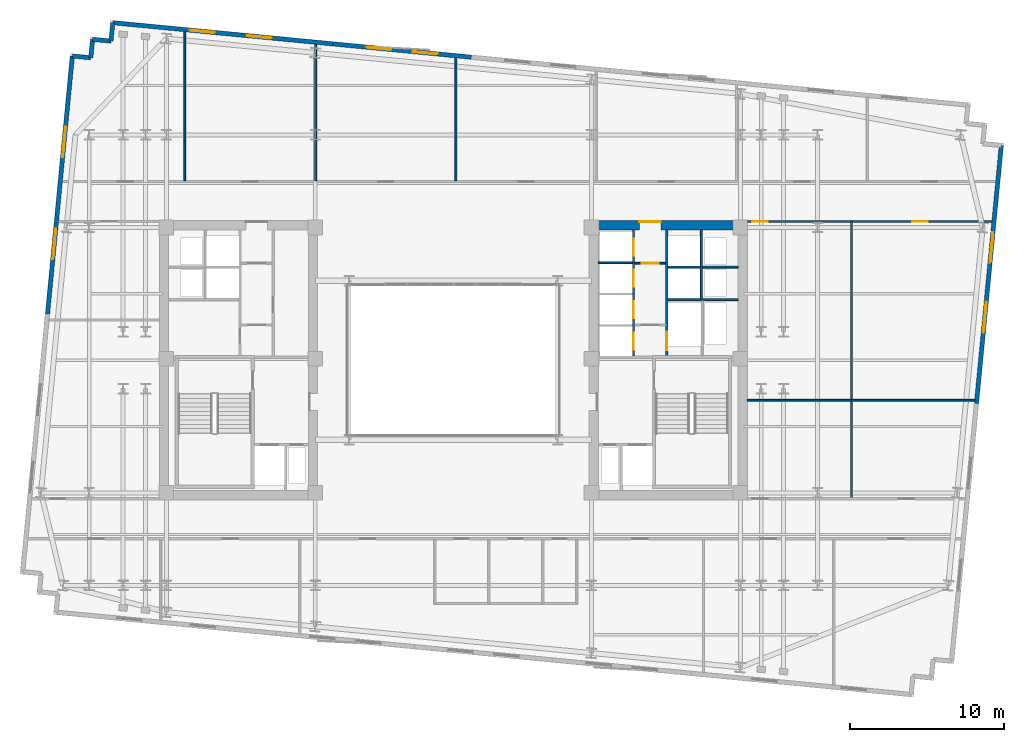
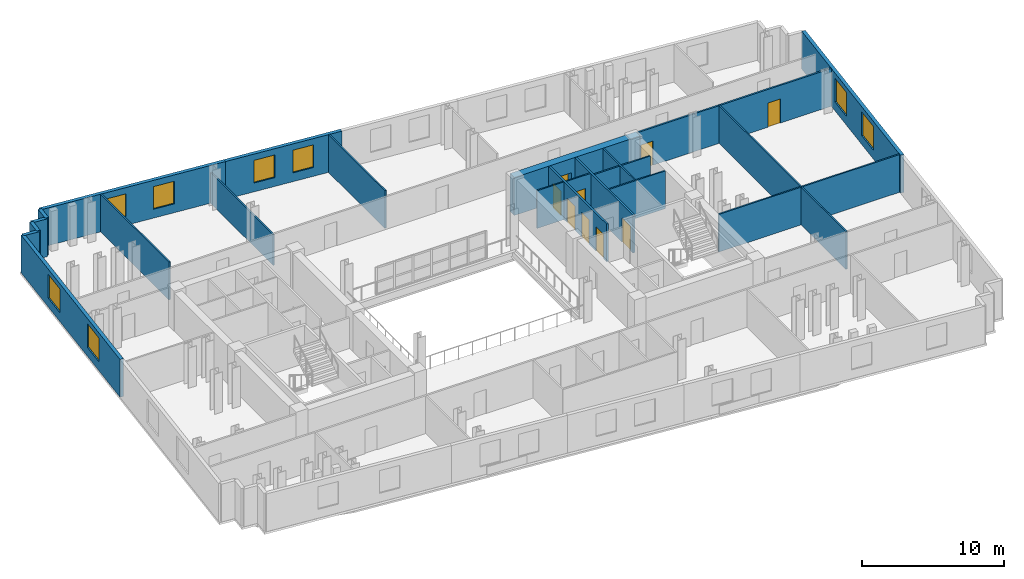
# One storey, part 7 of 10: 23 walls, 9 doors, 8 windows, 17 openings.
"""IFC4 building model written with IfcOpenShell, lengths in metres."""

from ifc_helpers import new_model, si_unit, direction, frame, frame_2d, origin, place, context, subcontext, project, spatial, rectangle, extrude, material, layer, layer_set, type_object, element, fill, save


model = new_model("IFC4")

# Units and contexts
model_context = context("Model", 3, precision=1e-05, world=origin(), true_north=direction((0.0, 1.0)))
body_context = subcontext(model_context, "Body", "Model", "MODEL_VIEW")
ifc_project = project(units=[si_unit("LENGTHUNIT", "METRE"), si_unit("AREAUNIT", "SQUARE_METRE"), si_unit("VOLUMEUNIT", "CUBIC_METRE"), si_unit("PLANEANGLEUNIT", "RADIAN"), si_unit("MASSUNIT", "GRAM", prefix="KILO")], contexts=[model_context])

# Site, building, storey
site_placement = place(None, origin())
site = spatial("IfcSite", under=ifc_project, at=site_placement, CompositionType="ELEMENT")
building_placement = place(site_placement, origin())
building = spatial("IfcBuilding", under=site, at=building_placement, Name="Velakula Bourse", CompositionType="ELEMENT")
storey_placement = place(building_placement, frame((0.0, 0.0, 188.0)))
storey = spatial("IfcBuildingStorey", under=building, at=storey_placement, Name="L51", CompositionType="ELEMENT", Elevation=188.0)

# Wall, opening, door
ifc_material_1 = material(Name="Concrete M70 (fck 70 MPa)", Category="concrete")
ifc_layer_1 = layer(ifc_material_1, 0.60009765625, Name="Concrete M70 (fck 70 MPa)", Category="concrete")
ifc_layer_set_1 = layer_set([ifc_layer_1], Name="Concrete M70 (fck 70 MPa)")
wall_type_1 = type_object("IfcWallType", Name="WL-CORE-600", PredefinedType="SHEAR", material=ifc_layer_set_1)
wall_1_placement = place(storey_placement, frame((8.800048828125, 8.75, 0.0), z_axis=(0.0, 0.0, 1.0), x_axis=(1.0, 0.0, 0.0)))
wall_1 = element("IfcWall", 1, at=wall_1_placement, inside=storey, type_object=wall_type_1, Name="L51 Core E Shear Wall N", PredefinedType="SHEAR", context=body_context, shape_type="SweptSolid", body=[
    extrude(rectangle(XDim=10.25, YDim=0.60009765625, at=frame_2d((5.125, 0.0))), origin(), (0.0, 0.0, 1.0), 3.27001953125),
])
opening_1_placement = place(wall_1_placement, frame((3.25, 0.0, 0.0)))
opening_1 = element("IfcOpeningElement", 2, at=opening_1_placement, cuts=wall_1, Name="Opening D-LLE", PredefinedType="OPENING", context=body_context, shape_type="SweptSolid", body=[
    extrude(rectangle(XDim=1.39990234375, YDim=2.050048828125, at=frame_2d((0.699951171875, 1.02490234375))), frame((0.0, 0.31005859375, 0.0), z_axis=(0.0, -1.0, 0.0), x_axis=(1.0, 0.0, 0.0)), (0.0, 0.0, 1.0), 0.6201171875),
])
ifc_material_2 = material(Name="Fire-rated hardwood flush architectural door", Category="wood")
door_type_1 = type_object("IfcDoorType", Name="DR-DBL-FD60-1400", OperationType="DOUBLE_DOOR_SINGLE_SWING", PredefinedType="DOOR", material=ifc_material_2)
door_1_placement = place(opening_1_placement, origin())
door_1 = element("IfcDoor", 3, at=door_1_placement, inside=storey, type_object=door_type_1, Name="L51 Core E Lift Lobby Corridor Double Door", OperationType="DOUBLE_DOOR_SINGLE_SWING", OverallHeight=2.050048828125, OverallWidth=1.39990234375, PredefinedType="DOOR", context=body_context, shape_type="SweptSolid", body=[
    extrude(rectangle(XDim=1.39990234375, YDim=2.050048828125, at=frame_2d((0.699951171875, 1.02490234375))), frame((0.0, 0.2451171875, 0.0), z_axis=(0.0, -1.0, 0.0), x_axis=(1.0, 0.0, 0.0)), (0.0, 0.0, 1.0), 0.050048828125),
])
fill(opening_1, door_1)

# Wall, openings, windows
ifc_material_3 = material(Name="Red kilned clay facing brick masonry", Category="masonry")
ifc_layer_2 = layer(ifc_material_3, 0.280029296875, Name="Red kilned clay facing brick masonry", Category="masonry")
ifc_layer_set_2 = layer_set([ifc_layer_2], Name="Red kilned clay facing brick masonry")
wall_type_2 = type_object("IfcWallType", Name="WL-EXT-BRK-280", PredefinedType="STANDARD", material=ifc_layer_set_2)
wall_2_placement = place(storey_placement, frame((-22.072509765625, 21.8701171875, 0.0), z_axis=(0.0, 0.0, 1.0), x_axis=(0.995395606285, -0.095851901334, 0.0)))
wall_2 = element("IfcWall", 4, at=wall_2_placement, inside=storey, type_object=wall_type_2, Name="L51 N Brick Spandrel Wall B1", PredefinedType="STANDARD", context=body_context, shape_type="SweptSolid", body=[
    extrude(rectangle(XDim=14.33984375, YDim=0.280029296875, at=frame_2d((7.169921875, 0.0))), origin(), (0.0, 0.0, 1.0), 3.25),
])
opening_2_placement = place(wall_2_placement, frame((5.030029296875, 0.0, 0.760009765625)))
opening_2 = element("IfcOpeningElement", 5, at=opening_2_placement, cuts=wall_2, Name="Opening W-02", PredefinedType="OPENING", context=body_context, shape_type="SweptSolid", body=[
    extrude(rectangle(XDim=1.60009765625, YDim=1.949951171875, at=frame_2d((0.800048828125, 0.97509765625))), frame((0.0, 0.14990234375, 0.0), z_axis=(0.0, -1.0, 0.0), x_axis=(1.0, 0.0, 0.0)), (0.0, 0.0, 1.0), 0.300048828125),
])
opening_3_placement = place(wall_2_placement, frame((8.760009765625, 0.0, 0.760009765625)))
opening_3 = element("IfcOpeningElement", 6, at=opening_3_placement, cuts=wall_2, Name="Opening W-02", PredefinedType="OPENING", context=body_context, shape_type="SweptSolid", body=[
    extrude(rectangle(XDim=1.60009765625, YDim=1.949951171875, at=frame_2d((0.800048828125, 0.97509765625))), frame((0.0, 0.14990234375, 0.0), z_axis=(0.0, -1.0, 0.0), x_axis=(1.0, 0.0, 0.0)), (0.0, 0.0, 1.0), 0.300048828125),
])
ifc_material_4 = material(Name="Double-glazed solar-control Low-E glass", Category="glass")
window_type_1 = type_object("IfcWindowType", Name="WIN-TWR-1600x2100", PartitioningType="SINGLE_PANEL", PredefinedType="WINDOW", material=ifc_material_4)
window_1_placement = place(opening_2_placement, origin())
window_1 = element("IfcWindow", 7, at=window_1_placement, inside=storey, type_object=window_type_1, Name="L51 Deep-Set Recessed Window 1", OverallHeight=1.949951171875, OverallWidth=1.60009765625, PartitioningType="SINGLE_PANEL", PredefinedType="WINDOW", context=body_context, shape_type="SweptSolid", body=[
    extrude(rectangle(XDim=1.60009765625, YDim=1.949951171875, at=frame_2d((0.800048828125, 0.97509765625))), frame((0.0, 0.030029296875, 0.0), z_axis=(0.0, -1.0, 0.0), x_axis=(1.0, 0.0, 0.0)), (0.0, 0.0, 1.0), 0.06005859375),
])
fill(opening_2, window_1)
window_2_placement = place(opening_3_placement, origin())
window_2 = element("IfcWindow", 8, at=window_2_placement, inside=storey, type_object=window_type_1, Name="L51 Deep-Set Recessed Window 2", OverallHeight=1.949951171875, OverallWidth=1.60009765625, PartitioningType="SINGLE_PANEL", PredefinedType="WINDOW", context=body_context, shape_type="SweptSolid", body=[
    extrude(rectangle(XDim=1.60009765625, YDim=1.949951171875, at=frame_2d((0.800048828125, 0.97509765625))), frame((0.0, 0.030029296875, 0.0), z_axis=(0.0, -1.0, 0.0), x_axis=(1.0, 0.0, 0.0)), (0.0, 0.0, 1.0), 0.06005859375),
])
fill(opening_3, window_2)

wall_3_placement = place(storey_placement, frame((-7.798583984375, 20.49560546875, 0.0), z_axis=(0.0, 0.0, 1.0), x_axis=(0.995396794462, -0.09583956164, 0.0)))
wall_3 = element("IfcWall", 9, at=wall_3_placement, inside=storey, type_object=wall_type_2, Name="L51 N Brick Spandrel Wall B2", PredefinedType="STANDARD", context=body_context, shape_type="SweptSolid", body=[
    extrude(rectangle(XDim=9.0, YDim=0.280029296875, at=frame_2d((4.5, 0.0))), origin(), (0.0, 0.0, 1.0), 3.25),
])
opening_4_placement = place(wall_3_placement, frame((2.199951171875, 0.0, 0.760009765625)))
opening_4 = element("IfcOpeningElement", 10, at=opening_4_placement, cuts=wall_3, Name="Opening W-02", PredefinedType="OPENING", context=body_context, shape_type="SweptSolid", body=[
    extrude(rectangle(XDim=1.60009765625, YDim=1.949951171875, at=frame_2d((0.800048828125, 0.97509765625))), frame((0.0, 0.14990234375, 0.0), z_axis=(0.0, -1.0, 0.0), x_axis=(1.0, 0.0, 0.0)), (0.0, 0.0, 1.0), 0.300048828125),
])
opening_5_placement = place(wall_3_placement, frame((5.199951171875, 0.0, 0.760009765625)))
opening_5 = element("IfcOpeningElement", 11, at=opening_5_placement, cuts=wall_3, Name="Opening W-02", PredefinedType="OPENING", context=body_context, shape_type="SweptSolid", body=[
    extrude(rectangle(XDim=1.60009765625, YDim=1.949951171875, at=frame_2d((0.800048828125, 0.97509765625))), frame((0.0, 0.14990234375, 0.0), z_axis=(0.0, -1.0, 0.0), x_axis=(1.0, 0.0, 0.0)), (0.0, 0.0, 1.0), 0.300048828125),
])
window_3_placement = place(opening_4_placement, origin())
window_3 = element("IfcWindow", 12, at=window_3_placement, inside=storey, type_object=window_type_1, Name="L51 Deep-Set Recessed Window 1", OverallHeight=1.949951171875, OverallWidth=1.60009765625, PartitioningType="SINGLE_PANEL", PredefinedType="WINDOW", context=body_context, shape_type="SweptSolid", body=[
    extrude(rectangle(XDim=1.60009765625, YDim=1.949951171875, at=frame_2d((0.800048828125, 0.97509765625))), frame((0.0, 0.030029296875, 0.0), z_axis=(0.0, -1.0, 0.0), x_axis=(1.0, 0.0, 0.0)), (0.0, 0.0, 1.0), 0.06005859375),
])
fill(opening_4, window_3)
window_4_placement = place(opening_5_placement, origin())
window_4 = element("IfcWindow", 13, at=window_4_placement, inside=storey, type_object=window_type_1, Name="L51 Deep-Set Recessed Window 2", OverallHeight=1.949951171875, OverallWidth=1.60009765625, PartitioningType="SINGLE_PANEL", PredefinedType="WINDOW", context=body_context, shape_type="SweptSolid", body=[
    extrude(rectangle(XDim=1.60009765625, YDim=1.949951171875, at=frame_2d((0.800048828125, 0.97509765625))), frame((0.0, 0.030029296875, 0.0), z_axis=(0.0, -1.0, 0.0), x_axis=(1.0, 0.0, 0.0)), (0.0, 0.0, 1.0), 0.06005859375),
])
fill(opening_5, window_4)

wall_4_placement = place(storey_placement, frame((-26.30078125, 2.998291015625, 0.0), z_axis=(0.0, 0.0, 1.0), x_axis=(0.095837640115, 0.99539697947, 0.0)))
wall_4 = element("IfcWall", 14, at=wall_4_placement, inside=storey, type_object=wall_type_2, Name="L51 W Brick End Wall W2", PredefinedType="STANDARD", context=body_context, shape_type="SweptSolid", body=[
    extrude(rectangle(XDim=16.790283203125, YDim=0.280029296875, at=frame_2d((8.39501953125, 0.0))), origin(), (0.0, 0.0, 1.0), 3.25),
])
opening_6_placement = place(wall_4_placement, frame((3.546630859375, 0.0, 0.760009765625)))
opening_6 = element("IfcOpeningElement", 15, at=opening_6_placement, cuts=wall_4, Name="Opening W-05", PredefinedType="OPENING", context=body_context, shape_type="SweptSolid", body=[
    extrude(rectangle(XDim=2.0, YDim=2.050048828125, at=frame_2d((1.0, 1.02490234375))), frame((0.0, 0.14990234375, 0.0), z_axis=(0.0, -1.0, 0.0), x_axis=(1.0, 0.0, 0.0)), (0.0, 0.0, 1.0), 0.300048828125),
])
opening_7_placement = place(wall_4_placement, frame((10.193359375, 0.0, 0.760009765625)))
opening_7 = element("IfcOpeningElement", 16, at=opening_7_placement, cuts=wall_4, Name="Opening W-05", PredefinedType="OPENING", context=body_context, shape_type="SweptSolid", body=[
    extrude(rectangle(XDim=2.0, YDim=2.050048828125, at=frame_2d((1.0, 1.02490234375))), frame((0.0, 0.14990234375, 0.0), z_axis=(0.0, -1.0, 0.0), x_axis=(1.0, 0.0, 0.0)), (0.0, 0.0, 1.0), 0.300048828125),
])
window_type_2 = type_object("IfcWindowType", Name="WIN-TWR-2000x2200", PartitioningType="DOUBLE_PANEL_VERTICAL", PredefinedType="WINDOW", material=ifc_material_4)
window_5_placement = place(opening_6_placement, origin())
window_5 = element("IfcWindow", 17, at=window_5_placement, inside=storey, type_object=window_type_2, Name="L51 Deep-Set Recessed Window 1", OverallHeight=2.050048828125, OverallWidth=2.0, PartitioningType="DOUBLE_PANEL_VERTICAL", PredefinedType="WINDOW", context=body_context, shape_type="SweptSolid", body=[
    extrude(rectangle(XDim=2.0, YDim=2.050048828125, at=frame_2d((1.0, 1.02490234375))), frame((0.0, 0.030029296875, 0.0), z_axis=(0.0, -1.0, 0.0), x_axis=(1.0, 0.0, 0.0)), (0.0, 0.0, 1.0), 0.06005859375),
])
fill(opening_6, window_5)
window_6_placement = place(opening_7_placement, origin())
window_6 = element("IfcWindow", 18, at=window_6_placement, inside=storey, type_object=window_type_2, Name="L51 Deep-Set Recessed Window 2", OverallHeight=2.050048828125, OverallWidth=2.0, PartitioningType="DOUBLE_PANEL_VERTICAL", PredefinedType="WINDOW", context=body_context, shape_type="SweptSolid", body=[
    extrude(rectangle(XDim=2.0, YDim=2.050048828125, at=frame_2d((1.0, 1.02490234375))), frame((0.0, 0.030029296875, 0.0), z_axis=(0.0, -1.0, 0.0), x_axis=(1.0, 0.0, 0.0)), (0.0, 0.0, 1.0), 0.06005859375),
])
fill(opening_7, window_6)

wall_5_placement = place(storey_placement, frame((35.510009765625, 13.914306640625, 0.0), z_axis=(0.0, 0.0, 1.0), x_axis=(-0.095839027265, -0.995396845913, 0.0)))
wall_5 = element("IfcWall", 19, at=wall_5_placement, inside=storey, type_object=wall_type_2, Name="L51 E Brick End Wall W2", PredefinedType="STANDARD", context=body_context, shape_type="SweptSolid", body=[
    extrude(rectangle(XDim=16.7900390625, YDim=0.280029296875, at=frame_2d((8.39501953125, 0.0))), origin(), (0.0, 0.0, 1.0), 3.25),
])
opening_8_placement = place(wall_5_placement, frame((5.646728515625, 0.0, 0.760009765625)))
opening_8 = element("IfcOpeningElement", 20, at=opening_8_placement, cuts=wall_5, Name="Opening W-05", PredefinedType="OPENING", context=body_context, shape_type="SweptSolid", body=[
    extrude(rectangle(XDim=2.0, YDim=2.050048828125, at=frame_2d((1.0, 1.02490234375))), frame((0.0, 0.14990234375, 0.0), z_axis=(0.0, -1.0, 0.0), x_axis=(1.0, 0.0, 0.0)), (0.0, 0.0, 1.0), 0.300048828125),
])
opening_9_placement = place(wall_5_placement, frame((10.193359375, 0.0, 0.760009765625)))
opening_9 = element("IfcOpeningElement", 21, at=opening_9_placement, cuts=wall_5, Name="Opening W-05", PredefinedType="OPENING", context=body_context, shape_type="SweptSolid", body=[
    extrude(rectangle(XDim=2.0, YDim=2.050048828125, at=frame_2d((1.0, 1.02490234375))), frame((0.0, 0.14990234375, 0.0), z_axis=(0.0, -1.0, 0.0), x_axis=(1.0, 0.0, 0.0)), (0.0, 0.0, 1.0), 0.300048828125),
])
window_7_placement = place(opening_8_placement, origin())
window_7 = element("IfcWindow", 22, at=window_7_placement, inside=storey, type_object=window_type_2, Name="L51 Deep-Set Recessed Window 1", OverallHeight=2.050048828125, OverallWidth=2.0, PartitioningType="DOUBLE_PANEL_VERTICAL", PredefinedType="WINDOW", context=body_context, shape_type="SweptSolid", body=[
    extrude(rectangle(XDim=2.0, YDim=2.050048828125, at=frame_2d((1.0, 1.02490234375))), frame((0.0, 0.030029296875, 0.0), z_axis=(0.0, -1.0, 0.0), x_axis=(1.0, 0.0, 0.0)), (0.0, 0.0, 1.0), 0.06005859375),
])
fill(opening_8, window_7)
window_8_placement = place(opening_9_placement, origin())
window_8 = element("IfcWindow", 23, at=window_8_placement, inside=storey, type_object=window_type_2, Name="L51 Deep-Set Recessed Window 2", OverallHeight=2.050048828125, OverallWidth=2.0, PartitioningType="DOUBLE_PANEL_VERTICAL", PredefinedType="WINDOW", context=body_context, shape_type="SweptSolid", body=[
    extrude(rectangle(XDim=2.0, YDim=2.050048828125, at=frame_2d((1.0, 1.02490234375))), frame((0.0, 0.030029296875, 0.0), z_axis=(0.0, -1.0, 0.0), x_axis=(1.0, 0.0, 0.0)), (0.0, 0.0, 1.0), 0.06005859375),
])
fill(opening_9, window_8)

# Walls
for number, where, z_axis, x_axis, name in (
    (24, (-22.072509765625, 21.8701171875, 0.0), (0.0, 0.0, 1.0), (-0.095817067274, -0.995398960025, 0.0), "L51 Serrated Corner Brick Wall NW-1"),
    (25, (-22.1875, 20.675537109375, 0.0), (0.0, 0.0, 1.0), (-0.995398960025, 0.095817067274, 0.0), "L51 Serrated Corner Brick Wall NW-2"),
    (26, (-23.382080078125, 20.79052734375, 0.0), (0.0, 0.0, 1.0), (-0.095817067274, -0.995398960025, 0.0), "L51 Serrated Corner Brick Wall NW-3"),
    (27, (-23.4970703125, 19.595947265625, 0.0), (0.0, 0.0, 1.0), (-0.995379537303, 0.096018626938, 0.0), "L51 Serrated Corner Brick Wall NW-4"),
):
    element("IfcWall", number, at=place(storey_placement, frame(where, z_axis=z_axis, x_axis=x_axis)), inside=storey, type_object=wall_type_2, Name=name, PredefinedType="STANDARD", context=body_context, shape_type="SweptSolid", body=[
        extrude(rectangle(XDim=1.2001953125, YDim=0.280029296875, at=frame_2d((0.60009765625, 0.0))), origin(), (0.0, 0.0, 1.0), 3.25),
    ])

# Wall, opening, door
ifc_material_5 = material(Name="Fire-rated double-layer gypsum drywall partition", Category="gypsum")
ifc_layer_3 = layer(ifc_material_5, 0.1201171875, Name="Fire-rated double-layer gypsum drywall partition", Category="gypsum")
ifc_layer_set_3 = layer_set([ifc_layer_3], Name="Fire-rated double-layer gypsum drywall partition")
wall_type_3 = type_object("IfcWallType", Name="WL-PART-120", PredefinedType="STANDARD", material=ifc_layer_set_3)
wall_6_placement = place(storey_placement, frame((11.75, 6.280029296875, 0.0), z_axis=(0.0, 0.0, 1.0), x_axis=(1.0, 0.0, 0.0)))
wall_6 = element("IfcWall", 28, at=wall_6_placement, inside=storey, type_object=wall_type_3, Name="L51 Interior Partition WL-CRE-L51-LL-K3B", PredefinedType="STANDARD", context=body_context, shape_type="SweptSolid", body=[
    extrude(rectangle(XDim=2.0, YDim=0.1201171875, at=frame_2d((1.0, 0.0))), origin(), (0.0, 0.0, 1.0), 3.25),
])
opening_10_placement = place(wall_6_placement, frame((0.449951171875, 0.0, 0.0)))
opening_10 = element("IfcOpeningElement", 29, at=opening_10_placement, cuts=wall_6, Name="Opening D-LK3", PredefinedType="OPENING", context=body_context, shape_type="SweptSolid", body=[
    extrude(rectangle(XDim=1.10009765625, YDim=2.10009765625, at=frame_2d((0.550048828125, 1.050048828125))), frame((0.0, 0.070068359375, 0.0), z_axis=(0.0, -1.0, 0.0), x_axis=(1.0, 0.0, 0.0)), (0.0, 0.0, 1.0), 0.14013671875),
])
door_type_2 = type_object("IfcDoorType", Name="DR-FD60-1100x2100", OperationType="NOTDEFINED", PredefinedType="DOOR", material=ifc_material_2)
door_2_placement = place(opening_10_placement, origin())
door_2 = element("IfcDoor", 30, at=door_2_placement, inside=storey, type_object=door_type_2, Name="L51 Core E Lift Lobby Vestibule Door B", OperationType="SINGLE_SWING_RIGHT", OverallHeight=2.10009765625, OverallWidth=1.10009765625, PredefinedType="DOOR", context=body_context, shape_type="SweptSolid", body=[
    extrude(rectangle(XDim=1.10009765625, YDim=2.10009765625, at=frame_2d((0.550048828125, 1.050048828125))), frame((0.0, 0.02490234375, 0.0), z_axis=(0.0, -1.0, 0.0), x_axis=(1.0, 0.0, 0.0)), (0.0, 0.0, 1.0), 0.050048828125),
])
fill(opening_10, door_2)

# Walls
wall_7_placement = place(storey_placement, frame((9.39990234375, 6.31494140625, 0.0), z_axis=(0.0, 0.0, 1.0), x_axis=(1.0, 0.0, 0.0)))
element("IfcWall", 31, at=wall_7_placement, inside=storey, type_object=wall_type_3, Name="L51 Interior Partition WL-CRE-L51-BDIV-2", PredefinedType="STANDARD", context=body_context, shape_type="SweptSolid", body=[
    extrude(rectangle(XDim=2.2001953125, YDim=0.110107421875, at=frame_2d((1.10009765625, 0.0))), origin(), (0.0, 0.0, 1.0), 3.25),
])
wall_8_placement = place(storey_placement, frame((13.89990234375, 3.919921875, 0.0), z_axis=(0.0, 0.0, 1.0), x_axis=(1.0, 0.0, 0.0)))
element("IfcWall", 32, at=wall_8_placement, inside=storey, type_object=wall_type_3, Name="L51 Interior Partition WL-CRE-L51-HI-S", PredefinedType="STANDARD", context=body_context, shape_type="SweptSolid", body=[
    extrude(rectangle(XDim=4.550048828125, YDim=0.1201171875, at=frame_2d((2.27490234375, 0.0))), origin(), (0.0, 0.0, 1.0), 3.25),
])
wall_9_placement = place(storey_placement, frame((16.14990234375, 6.030029296875, 0.0), z_axis=(0.0, 0.0, 1.0), x_axis=(1.0, 0.0, 0.0)))
element("IfcWall", 33, at=wall_9_placement, inside=storey, type_object=wall_type_3, Name="L51 Interior Partition WL-CRE-L51-RIS-MID", PredefinedType="STANDARD", context=body_context, shape_type="SweptSolid", body=[
    extrude(rectangle(XDim=2.300048828125, YDim=0.1201171875, at=frame_2d((1.14990234375, 0.0))), origin(), (0.0, 0.0, 1.0), 3.25),
])
wall_10_placement = place(storey_placement, frame((16.074951171875, 3.97998046875, 0.0), z_axis=(0.0, 0.0, 1.0), x_axis=(0.0, 1.0, 0.0)))
element("IfcWall", 34, at=wall_10_placement, inside=storey, type_object=wall_type_3, Name="L51 Interior Partition WL-CRE-L51-RIS-F", PredefinedType="STANDARD", context=body_context, shape_type="SweptSolid", body=[
    extrude(rectangle(XDim=4.469970703125, YDim=0.1201171875, at=frame_2d((2.23486328125, 0.0))), origin(), (0.0, 0.0, 1.0), 3.25),
])
wall_11_placement = place(storey_placement, frame((13.89990234375, 6.030029296875, 0.0), z_axis=(0.0, 0.0, 1.0), x_axis=(1.0, 0.0, 0.0)))
element("IfcWall", 35, at=wall_11_placement, inside=storey, type_object=wall_type_3, Name="L51 Interior Partition WL-CRE-L51-HI-DIV", PredefinedType="STANDARD", context=body_context, shape_type="SweptSolid", body=[
    extrude(rectangle(XDim=2.10009765625, YDim=0.1201171875, at=frame_2d((1.050048828125, 0.0))), origin(), (0.0, 0.0, 1.0), 3.25),
])
wall_12_placement = place(storey_placement, frame((-17.409912109375, 11.639892578125, 0.0), z_axis=(0.0, 0.0, 1.0), x_axis=(0.0, 1.0, 0.0)))
element("IfcWall", 36, at=wall_12_placement, inside=storey, type_object=wall_type_3, Name="L51 Interior Partition WL-INT-L51-N-D1", PredefinedType="STANDARD", context=body_context, shape_type="SweptSolid", body=[
    extrude(rectangle(XDim=9.66064453125, YDim=0.1201171875, at=frame_2d((4.830322265625, 0.0))), origin(), (0.0, 0.0, 1.0), 3.25),
])
wall_13_placement = place(storey_placement, frame((-8.925048828125, 11.639892578125, 0.0), z_axis=(0.0, 0.0, 1.0), x_axis=(0.0, 1.0, 0.0)))
element("IfcWall", 37, at=wall_13_placement, inside=storey, type_object=wall_type_3, Name="L51 Interior Partition WL-INT-L51-N-D2", PredefinedType="STANDARD", context=body_context, shape_type="SweptSolid", body=[
    extrude(rectangle(XDim=8.843505859375, YDim=0.1201171875, at=frame_2d((4.421875, 0.0))), origin(), (0.0, 0.0, 1.0), 2.64501953125),
])
wall_14_placement = place(storey_placement, frame((0.1650390625, 11.639892578125, 0.0), z_axis=(0.0, 0.0, 1.0), x_axis=(0.0, 1.0, 0.0)))
element("IfcWall", 38, at=wall_14_placement, inside=storey, type_object=wall_type_3, Name="L51 Interior Partition WL-INT-L51-N-D3", PredefinedType="STANDARD", context=body_context, shape_type="SweptSolid", body=[
    extrude(rectangle(XDim=7.96826171875, YDim=0.1201171875, at=frame_2d((3.984130859375, 0.0))), origin(), (0.0, 0.0, 1.0), 3.25),
])
wall_15_placement = place(storey_placement, frame((19.050048828125, -2.60009765625, 0.0), z_axis=(0.0, 0.0, 1.0), x_axis=(1.0, 0.0, 0.0)))
element("IfcWall", 39, at=wall_15_placement, inside=storey, type_object=wall_type_3, Name="L51 Interior Partition WL-INT-L51-E-H", PredefinedType="STANDARD", context=body_context, shape_type="SweptSolid", body=[
    extrude(rectangle(XDim=14.749267578125, YDim=0.1201171875, at=frame_2d((7.37451171875, 0.0))), origin(), (0.0, 0.0, 1.0), 3.25),
])
wall_16_placement = place(storey_placement, frame((25.802001953125, -8.97998046875, 0.0), z_axis=(0.0, 0.0, 1.0), x_axis=(0.0, 1.0, 0.0)))
element("IfcWall", 40, at=wall_16_placement, inside=storey, type_object=wall_type_3, Name="L51 Interior Partition WL-INT-L51-E-V1", PredefinedType="STANDARD", context=body_context, shape_type="SweptSolid", body=[
    extrude(rectangle(XDim=17.9599609375, YDim=0.1201171875, at=frame_2d((8.97998046875, 0.0))), origin(), (0.0, 0.0, 1.0), 3.25),
])

# Wall, openings, doors
ifc_layer_4 = layer(ifc_material_5, 0.139892578125, Name="Fire-rated double-layer gypsum drywall partition", Category="gypsum")
ifc_layer_set_4 = layer_set([ifc_layer_4], Name="Fire-rated double-layer gypsum drywall partition")
wall_type_4 = type_object("IfcWallType", Name="WL-PART-140", PredefinedType="STANDARD", material=ifc_layer_set_4)
wall_17_placement = place(storey_placement, frame((19.050048828125, 8.97998046875, 0.0), z_axis=(0.0, 0.0, 1.0), x_axis=(1.0, 0.0, 0.0)))
wall_17 = element("IfcWall", 41, at=wall_17_placement, inside=storey, type_object=wall_type_4, Name="L51 Interior Partition WL-INT-L51-E-NC", PredefinedType="STANDARD", context=body_context, shape_type="SweptSolid", body=[
    extrude(rectangle(XDim=15.8642578125, YDim=0.139892578125, at=frame_2d((7.93212890625, 0.0))), origin(), (0.0, 0.0, 1.0), 3.25),
])
opening_11_placement = place(wall_17_placement, frame((0.320068359375, 0.0, 0.0)))
opening_11 = element("IfcOpeningElement", 42, at=opening_11_placement, cuts=wall_17, Name="Opening D-OF1", PredefinedType="OPENING", context=body_context, shape_type="SweptSolid", body=[
    extrude(rectangle(XDim=1.0, YDim=2.080078125, at=frame_2d((0.5, 1.0400390625))), frame((0.0, 0.079833984375, 0.0), z_axis=(0.0, -1.0, 0.0), x_axis=(1.0, 0.0, 0.0)), (0.0, 0.0, 1.0), 0.159912109375),
])
opening_12_placement = place(wall_17_placement, frame((10.67822265625, 0.0, 0.0)))
opening_12 = element("IfcOpeningElement", 43, at=opening_12_placement, cuts=wall_17, Name="Opening D-OF1", PredefinedType="OPENING", context=body_context, shape_type="SweptSolid", body=[
    extrude(rectangle(XDim=1.0, YDim=2.080078125, at=frame_2d((0.5, 1.0400390625))), frame((0.0, 0.079833984375, 0.0), z_axis=(0.0, -1.0, 0.0), x_axis=(1.0, 0.0, 0.0)), (0.0, 0.0, 1.0), 0.159912109375),
])
door_type_3 = type_object("IfcDoorType", Name="DR-OFF-1000", OperationType="NOTDEFINED", PredefinedType="DOOR", material=ifc_material_2)
door_3_placement = place(opening_11_placement, origin())
door_3 = element("IfcDoor", 44, at=door_3_placement, inside=storey, type_object=door_type_3, Name="L51 Compliance Review Office Door", OperationType="SINGLE_SWING_LEFT", OverallHeight=2.080078125, OverallWidth=1.0, PredefinedType="DOOR", context=body_context, shape_type="SweptSolid", body=[
    extrude(rectangle(XDim=1.0, YDim=2.080078125, at=frame_2d((0.5, 1.0400390625))), frame((0.0, 0.02490234375, 0.0), z_axis=(0.0, -1.0, 0.0), x_axis=(1.0, 0.0, 0.0)), (0.0, 0.0, 1.0), 0.050048828125),
])
fill(opening_11, door_3)
door_4_placement = place(opening_12_placement, origin())
door_4 = element("IfcDoor", 45, at=door_4_placement, inside=storey, type_object=door_type_3, Name="L51 Peer Review Boardroom Door", OperationType="SINGLE_SWING_RIGHT", OverallHeight=2.080078125, OverallWidth=1.0, PredefinedType="DOOR", context=body_context, shape_type="SweptSolid", body=[
    extrude(rectangle(XDim=1.0, YDim=2.080078125, at=frame_2d((0.5, 1.0400390625))), frame((0.0, 0.02490234375, 0.0), z_axis=(0.0, -1.0, 0.0), x_axis=(1.0, 0.0, 0.0)), (0.0, 0.0, 1.0), 0.050048828125),
])
fill(opening_12, door_4)

ifc_material_6 = material(Name="Autoclaved aerated concrete blockwork masonry", Category="masonry")
ifc_layer_5 = layer(ifc_material_6, 0.14990234375, Name="Autoclaved aerated concrete blockwork masonry", Category="masonry")
ifc_layer_set_5 = layer_set([ifc_layer_5], Name="Autoclaved aerated concrete blockwork masonry")
wall_type_5 = type_object("IfcWallType", Name="WL-SHAFT-150", PredefinedType="STANDARD", material=ifc_layer_set_5)
wall_18_placement = place(storey_placement, frame((11.675048828125, 0.27001953125, 0.0), z_axis=(0.0, 0.0, 1.0), x_axis=(0.0, 1.0, 0.0)))
wall_18 = element("IfcWall", 46, at=wall_18_placement, inside=storey, type_object=wall_type_5, Name="L51 Interior Partition WL-CRE-L51-BANK-F", PredefinedType="STANDARD", context=body_context, shape_type="SweptSolid", body=[
    extrude(rectangle(XDim=8.179931640625, YDim=0.14990234375, at=frame_2d((4.08984375, 0.0))), origin(), (0.0, 0.0, 1.0), 3.25),
])
opening_13_placement = place(wall_18_placement, frame((0.419921875, 0.0, 0.0)))
opening_13 = element("IfcOpeningElement", 47, at=opening_13_placement, cuts=wall_18, Name="Opening LD-P5", PredefinedType="OPENING", context=body_context, shape_type="SweptSolid", body=[
    extrude(rectangle(XDim=1.10009765625, YDim=2.10009765625, at=frame_2d((0.550048828125, 1.050048828125))), frame((0.0, 0.0849609375, 0.0), z_axis=(0.0, -1.0, 0.0), x_axis=(1.0, 0.0, 0.0)), (0.0, 0.0, 1.0), 0.169921875),
])
opening_14_placement = place(wall_18_placement, frame((2.449951171875, 0.0, 0.0)))
opening_14 = element("IfcOpeningElement", 48, at=opening_14_placement, cuts=wall_18, Name="Opening LD-P6", PredefinedType="OPENING", context=body_context, shape_type="SweptSolid", body=[
    extrude(rectangle(XDim=1.10009765625, YDim=2.10009765625, at=frame_2d((0.550048828125, 1.050048828125))), frame((0.0, 0.0849609375, 0.0), z_axis=(0.0, -1.0, 0.0), x_axis=(1.0, 0.0, 0.0)), (0.0, 0.0, 1.0), 0.169921875),
])
opening_15_placement = place(wall_18_placement, frame((4.47998046875, 0.0, 0.0)))
opening_15 = element("IfcOpeningElement", 49, at=opening_15_placement, cuts=wall_18, Name="Opening LD-P7", PredefinedType="OPENING", context=body_context, shape_type="SweptSolid", body=[
    extrude(rectangle(XDim=1.10009765625, YDim=2.10009765625, at=frame_2d((0.550048828125, 1.050048828125))), frame((0.0, 0.0849609375, 0.0), z_axis=(0.0, -1.0, 0.0), x_axis=(1.0, 0.0, 0.0)), (0.0, 0.0, 1.0), 0.169921875),
])
opening_16_placement = place(wall_18_placement, frame((6.510009765625, 0.0, 0.0)))
opening_16 = element("IfcOpeningElement", 50, at=opening_16_placement, cuts=wall_18, Name="Opening LD-P8", PredefinedType="OPENING", context=body_context, shape_type="SweptSolid", body=[
    extrude(rectangle(XDim=1.10009765625, YDim=2.10009765625, at=frame_2d((0.550048828125, 1.050048828125))), frame((0.0, 0.0849609375, 0.0), z_axis=(0.0, -1.0, 0.0), x_axis=(1.0, 0.0, 0.0)), (0.0, 0.0, 1.0), 0.169921875),
])
ifc_material_7 = material(Name="Brushed grade 316 stainless steel", Category="steel")
door_type_4 = type_object("IfcDoorType", Name="DR-SLIDE-LD-1100", OperationType="DOUBLE_DOOR_SLIDING", PredefinedType="DOOR", material=ifc_material_7)
door_5_placement = place(opening_13_placement, origin())
door_5 = element("IfcDoor", 51, at=door_5_placement, inside=storey, type_object=door_type_4, Name="L51 Passenger Lift P5 Sliding Landing Door", OperationType="DOUBLE_DOOR_SLIDING", OverallHeight=2.10009765625, OverallWidth=1.10009765625, PredefinedType="DOOR", context=body_context, shape_type="SweptSolid", body=[
    extrude(rectangle(XDim=1.10009765625, YDim=2.10009765625, at=frame_2d((0.550048828125, 1.050048828125))), frame((0.0, 0.02490234375, 0.0), z_axis=(0.0, -1.0, 0.0), x_axis=(1.0, 0.0, 0.0)), (0.0, 0.0, 1.0), 0.050048828125),
])
fill(opening_13, door_5)
door_6_placement = place(opening_14_placement, origin())
door_6 = element("IfcDoor", 52, at=door_6_placement, inside=storey, type_object=door_type_4, Name="L51 Passenger Lift P6 Sliding Landing Door", OperationType="DOUBLE_DOOR_SLIDING", OverallHeight=2.10009765625, OverallWidth=1.10009765625, PredefinedType="DOOR", context=body_context, shape_type="SweptSolid", body=[
    extrude(rectangle(XDim=1.10009765625, YDim=2.10009765625, at=frame_2d((0.550048828125, 1.050048828125))), frame((0.0, 0.02490234375, 0.0), z_axis=(0.0, -1.0, 0.0), x_axis=(1.0, 0.0, 0.0)), (0.0, 0.0, 1.0), 0.050048828125),
])
fill(opening_14, door_6)
door_7_placement = place(opening_15_placement, origin())
door_7 = element("IfcDoor", 53, at=door_7_placement, inside=storey, type_object=door_type_4, Name="L51 Passenger Lift P7 Sliding Landing Door", OperationType="DOUBLE_DOOR_SLIDING", OverallHeight=2.10009765625, OverallWidth=1.10009765625, PredefinedType="DOOR", context=body_context, shape_type="SweptSolid", body=[
    extrude(rectangle(XDim=1.10009765625, YDim=2.10009765625, at=frame_2d((0.550048828125, 1.050048828125))), frame((0.0, 0.02490234375, 0.0), z_axis=(0.0, -1.0, 0.0), x_axis=(1.0, 0.0, 0.0)), (0.0, 0.0, 1.0), 0.050048828125),
])
fill(opening_15, door_7)
door_8_placement = place(opening_16_placement, origin())
door_8 = element("IfcDoor", 54, at=door_8_placement, inside=storey, type_object=door_type_4, Name="L51 Passenger Lift P8 Sliding Landing Door", OperationType="DOUBLE_DOOR_SLIDING", OverallHeight=2.10009765625, OverallWidth=1.10009765625, PredefinedType="DOOR", context=body_context, shape_type="SweptSolid", body=[
    extrude(rectangle(XDim=1.10009765625, YDim=2.10009765625, at=frame_2d((0.550048828125, 1.050048828125))), frame((0.0, 0.02490234375, 0.0), z_axis=(0.0, -1.0, 0.0), x_axis=(1.0, 0.0, 0.0)), (0.0, 0.0, 1.0), 0.050048828125),
])
fill(opening_16, door_8)

# Wall, opening, door
wall_19_placement = place(storey_placement, frame((13.824951171875, 0.27001953125, 0.0), z_axis=(0.0, 0.0, 1.0), x_axis=(0.0, 1.0, 0.0)))
wall_19 = element("IfcWall", 55, at=wall_19_placement, inside=storey, type_object=wall_type_5, Name="L51 Interior Partition WL-CRE-L51-OUT-F", PredefinedType="STANDARD", context=body_context, shape_type="SweptSolid", body=[
    extrude(rectangle(XDim=8.179931640625, YDim=0.14990234375, at=frame_2d((4.08984375, 0.0))), origin(), (0.0, 0.0, 1.0), 3.25),
])
opening_17_placement = place(wall_19_placement, frame((0.3798828125, 0.0, 0.0)))
opening_17 = element("IfcOpeningElement", 56, at=opening_17_placement, cuts=wall_19, Name="Opening LD-SVL1", PredefinedType="OPENING", context=body_context, shape_type="SweptSolid", body=[
    extrude(rectangle(XDim=1.199951171875, YDim=2.10009765625, at=frame_2d((0.60009765625, 1.050048828125))), frame((0.0, 0.0849609375, 0.0), z_axis=(0.0, -1.0, 0.0), x_axis=(1.0, 0.0, 0.0)), (0.0, 0.0, 1.0), 0.169921875),
])
door_type_5 = type_object("IfcDoorType", Name="DR-SLIDE-LD-1200", OperationType="DOUBLE_DOOR_SLIDING", PredefinedType="DOOR", material=ifc_material_7)
door_9_placement = place(opening_17_placement, origin())
door_9 = element("IfcDoor", 57, at=door_9_placement, inside=storey, type_object=door_type_5, Name="L51 Service Lift SVL-1 Sliding Landing Door", OperationType="DOUBLE_DOOR_SLIDING", OverallHeight=2.10009765625, OverallWidth=1.199951171875, PredefinedType="DOOR", context=body_context, shape_type="SweptSolid", body=[
    extrude(rectangle(XDim=1.199951171875, YDim=2.10009765625, at=frame_2d((0.60009765625, 1.050048828125))), frame((0.0, 0.02490234375, 0.0), z_axis=(0.0, -1.0, 0.0), x_axis=(1.0, 0.0, 0.0)), (0.0, 0.0, 1.0), 0.050048828125),
])
fill(opening_17, door_9)

save(model, "model.ifc")
